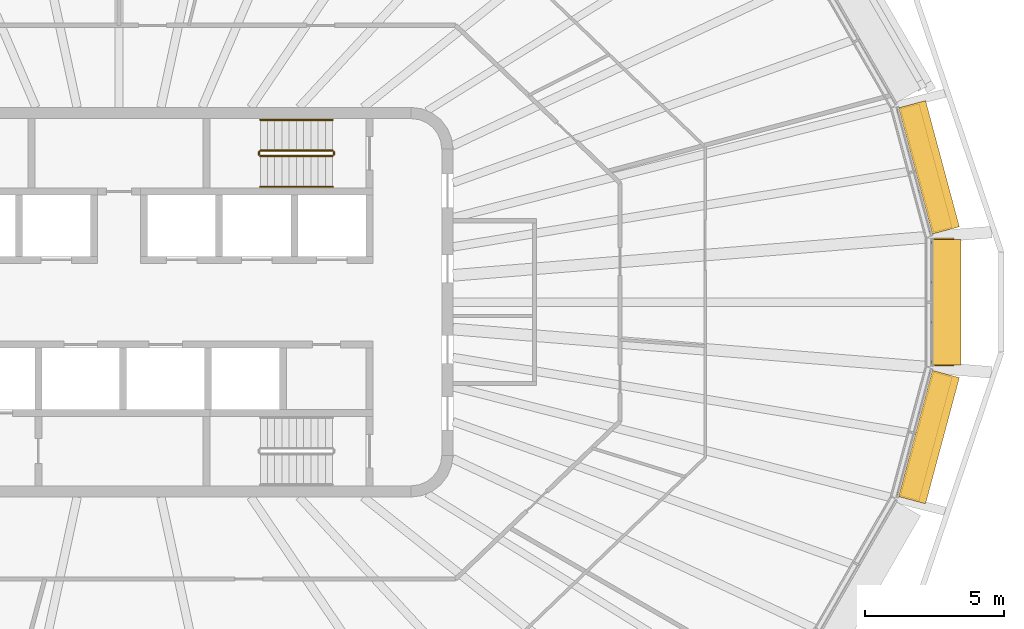
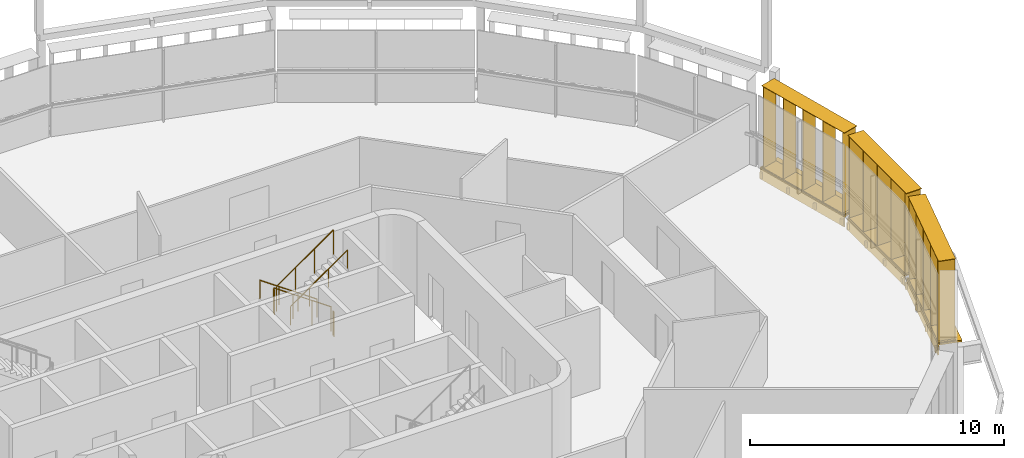
# One storey, part 17 of 19: 6 railings, 6 shading devices.
"""IFC4 building model written with IfcOpenShell, lengths in metres."""

from ifc_helpers import new_model, si_unit, direction, frame, origin, origin_2d, place, context, subcontext, project, spatial, rectangle, circle, extrude, material, type_object, element, save


model = new_model("IFC4")

# Units and contexts
model_context = context("Model", 3, precision=1e-05, world=origin(), true_north=direction((0.0, 1.0)))
body_context = subcontext(model_context, "Body", "Model", "MODEL_VIEW")
ifc_project = project(units=[si_unit("LENGTHUNIT", "METRE"), si_unit("AREAUNIT", "SQUARE_METRE"), si_unit("VOLUMEUNIT", "CUBIC_METRE"), si_unit("PLANEANGLEUNIT", "RADIAN"), si_unit("MASSUNIT", "GRAM", prefix="KILO")], contexts=[model_context])

# Site, building, storey
site_placement = place(None, origin())
site = spatial("IfcSite", under=ifc_project, at=site_placement, CompositionType="ELEMENT")
building_placement = place(site_placement, origin())
building = spatial("IfcBuilding", under=site, at=building_placement, Name="Sahrelin Media Tower", CompositionType="ELEMENT")
storey_placement = place(building_placement, frame((0.0, 0.0, 279.0)))
storey = spatial("IfcBuildingStorey", under=building, at=storey_placement, Name="L61", CompositionType="ELEMENT", Elevation=279.0)

# Shading devices
ifc_material_1 = material(Name="Champagne anodised aluminium 6063-T6", Category="aluminium")
shading_device_type_1 = type_object("IfcShadingDeviceType", Name="Fin cassette", PredefinedType="USERDEFINED", material=ifc_material_1)
placement_1 = place(storey_placement, frame((29.234375, 0.0, 0.0), z_axis=(0.0, 0.0, 1.0), x_axis=(0.0, -1.0, 0.0)))
element("IfcShadingDevice", 1, at=placement_1, inside=storey, type_object=shading_device_type_1, Name="L61:FIN:L61-00", ObjectType="FIN", PredefinedType="USERDEFINED", context=body_context, shape_type="SweptSolid", body=[
    extrude(rectangle(XDim=4.60009765625, YDim=0.699951171875, at=origin_2d()), frame((0.0, 0.419921875, 0.0)), (0.0, 0.0, 1.0), 0.02001953125),
    extrude(rectangle(XDim=4.60009765625, YDim=0.699951171875, at=origin_2d()), frame((0.0, 0.419921875, 3.89990234375)), (0.0, 0.0, 1.0), 0.02001953125),
    extrude(rectangle(XDim=0.02001953125, YDim=0.699951171875, at=origin_2d()), frame((-2.199951171875, 0.419921875, 0.010009765625), z_axis=(0.0, 0.0, 1.0), x_axis=(1.0, 0.0, 0.0)), (0.0, 0.0, 1.0), 3.89990234375),
    extrude(rectangle(XDim=0.02001953125, YDim=0.699951171875, at=origin_2d()), frame((-1.10009765625, 0.419921875, 0.010009765625), z_axis=(0.0, 0.0, 1.0), x_axis=(1.0, 0.0, 0.0)), (0.0, 0.0, 1.0), 3.89990234375),
    extrude(rectangle(XDim=0.02001953125, YDim=0.699951171875, at=origin_2d()), frame((0.0, 0.419921875, 0.010009765625), z_axis=(0.0, 0.0, 1.0), x_axis=(1.0, 0.0, 0.0)), (0.0, 0.0, 1.0), 3.89990234375),
    extrude(rectangle(XDim=0.02001953125, YDim=0.699951171875, at=origin_2d()), frame((1.10009765625, 0.419921875, 0.010009765625), z_axis=(0.0, 0.0, 1.0), x_axis=(1.0, 0.0, 0.0)), (0.0, 0.0, 1.0), 3.89990234375),
    extrude(rectangle(XDim=0.02001953125, YDim=0.699951171875, at=origin_2d()), frame((2.199951171875, 0.419921875, 0.010009765625), z_axis=(0.0, 0.0, 1.0), x_axis=(1.0, 0.0, 0.0)), (0.0, 0.0, 1.0), 3.89990234375),
])
placement_2 = place(storey_placement, frame((28.601318359375, 4.712646484375, 0.0), z_axis=(0.0, 0.0, 1.0), x_axis=(0.258807731996, -0.965928857556, 0.0)))
element("IfcShadingDevice", 2, at=placement_2, inside=storey, type_object=shading_device_type_1, Name="L61:FIN:L61-01", ObjectType="FIN", PredefinedType="USERDEFINED", context=body_context, shape_type="SweptSolid", body=[
    extrude(rectangle(XDim=4.60009765625, YDim=0.699951171875, at=origin_2d()), frame((0.0, 0.419921875, 0.0)), (0.0, 0.0, 1.0), 0.02001953125),
    extrude(rectangle(XDim=4.60009765625, YDim=0.699951171875, at=origin_2d()), frame((0.0, 0.419921875, 3.89990234375)), (0.0, 0.0, 1.0), 0.02001953125),
    extrude(rectangle(XDim=0.02001953125, YDim=0.699951171875, at=origin_2d()), frame((-2.199951171875, 0.419921875, 0.010009765625), z_axis=(0.0, 0.0, 1.0), x_axis=(1.0, 0.0, 0.0)), (0.0, 0.0, 1.0), 3.89990234375),
    extrude(rectangle(XDim=0.02001953125, YDim=0.699951171875, at=origin_2d()), frame((-1.10009765625, 0.419921875, 0.010009765625), z_axis=(0.0, 0.0, 1.0), x_axis=(1.0, 0.0, 0.0)), (0.0, 0.0, 1.0), 3.89990234375),
    extrude(rectangle(XDim=0.02001953125, YDim=0.699951171875, at=origin_2d()), frame((0.0, 0.419921875, 0.010009765625), z_axis=(0.0, 0.0, 1.0), x_axis=(1.0, 0.0, 0.0)), (0.0, 0.0, 1.0), 3.89990234375),
    extrude(rectangle(XDim=0.02001953125, YDim=0.699951171875, at=origin_2d()), frame((1.10009765625, 0.419921875, 0.010009765625), z_axis=(0.0, 0.0, 1.0), x_axis=(1.0, 0.0, 0.0)), (0.0, 0.0, 1.0), 3.89990234375),
    extrude(rectangle(XDim=0.02001953125, YDim=0.699951171875, at=origin_2d()), frame((2.199951171875, 0.419921875, 0.010009765625), z_axis=(0.0, 0.0, 1.0), x_axis=(1.0, 0.0, 0.0)), (0.0, 0.0, 1.0), 3.89990234375),
])
placement_3 = place(storey_placement, frame((28.601318359375, -4.712646484375, 0.0), z_axis=(0.0, 0.0, 1.0), x_axis=(-0.258807731996, -0.965928857556, 0.0)))
element("IfcShadingDevice", 3, at=placement_3, inside=storey, type_object=shading_device_type_1, Name="L61:FIN:L61-23", ObjectType="FIN", PredefinedType="USERDEFINED", context=body_context, shape_type="SweptSolid", body=[
    extrude(rectangle(XDim=4.60009765625, YDim=0.699951171875, at=origin_2d()), frame((0.0, 0.419921875, 0.0)), (0.0, 0.0, 1.0), 0.02001953125),
    extrude(rectangle(XDim=4.60009765625, YDim=0.699951171875, at=origin_2d()), frame((0.0, 0.419921875, 3.89990234375)), (0.0, 0.0, 1.0), 0.02001953125),
    extrude(rectangle(XDim=0.02001953125, YDim=0.699951171875, at=origin_2d()), frame((-2.199951171875, 0.419921875, 0.010009765625), z_axis=(0.0, 0.0, 1.0), x_axis=(1.0, 0.0, 0.0)), (0.0, 0.0, 1.0), 3.89990234375),
    extrude(rectangle(XDim=0.02001953125, YDim=0.699951171875, at=origin_2d()), frame((-1.10009765625, 0.419921875, 0.010009765625), z_axis=(0.0, 0.0, 1.0), x_axis=(1.0, 0.0, 0.0)), (0.0, 0.0, 1.0), 3.89990234375),
    extrude(rectangle(XDim=0.02001953125, YDim=0.699951171875, at=origin_2d()), frame((0.0, 0.419921875, 0.010009765625), z_axis=(0.0, 0.0, 1.0), x_axis=(1.0, 0.0, 0.0)), (0.0, 0.0, 1.0), 3.89990234375),
    extrude(rectangle(XDim=0.02001953125, YDim=0.699951171875, at=origin_2d()), frame((1.10009765625, 0.419921875, 0.010009765625), z_axis=(0.0, 0.0, 1.0), x_axis=(1.0, 0.0, 0.0)), (0.0, 0.0, 1.0), 3.89990234375),
    extrude(rectangle(XDim=0.02001953125, YDim=0.699951171875, at=origin_2d()), frame((2.199951171875, 0.419921875, 0.010009765625), z_axis=(0.0, 0.0, 1.0), x_axis=(1.0, 0.0, 0.0)), (0.0, 0.0, 1.0), 3.89990234375),
])

# Railings
ifc_material_2 = material(Name="Steel S355", Category="steel")
railing_type_1 = type_object("IfcRailingType", Name="Stair guard 1200", PredefinedType="GUARDRAIL", material=ifc_material_2)
railing_1_placement = place(storey_placement, frame((7.675048828125, 5.449951171875, 0.181884765625)))
element("IfcRailing", 4, at=railing_1_placement, inside=storey, type_object=railing_type_1, Name="L61 ST3 stair guard 1", PredefinedType="GUARDRAIL", context=body_context, shape_type="SweptSolid", body=[
    extrude(circle(Radius=0.02392578125, at=origin_2d()), frame((0.0, 0.0, 1.17578125), z_axis=(-0.819521025635, 0.0, 0.573049115296), x_axis=(0.0, -1.0, 0.0)), (0.0, 0.0, 1.0), 3.172607421875),
    extrude(circle(Radius=0.02099609375, at=origin_2d()), origin(), (0.0, 0.0, 1.0), 1.15185546875),
    extrude(circle(Radius=0.02099609375, at=origin_2d()), frame((-0.86669921875, 0.0, 0.60595703125)), (0.0, 0.0, 1.0), 1.15185546875),
    extrude(circle(Radius=0.02099609375, at=origin_2d()), frame((-1.7333984375, 0.0, 1.212158203125)), (0.0, 0.0, 1.0), 1.15185546875),
    extrude(circle(Radius=0.02099609375, at=origin_2d()), frame((-2.60009765625, 0.0, 1.818115234375)), (0.0, 0.0, 1.0), 1.15185546875),
])
railing_2_placement = place(storey_placement, frame((5.02490234375, 5.39990234375, 2.0)))
element("IfcRailing", 5, at=railing_2_placement, inside=storey, type_object=railing_type_1, Name="L61 ST3 stair guard 2", PredefinedType="GUARDRAIL", context=body_context, shape_type="SweptSolid", body=[
    extrude(circle(Radius=0.02392578125, at=origin_2d()), frame((0.0, 0.0, 1.17578125), z_axis=(0.0, -1.0, 0.0), x_axis=(1.0, 0.0, 0.0)), (0.0, 0.0, 1.0), 0.099853515625),
    extrude(circle(Radius=0.02099609375, at=origin_2d()), origin(), (0.0, 0.0, 1.0), 1.15185546875),
    extrude(circle(Radius=0.02099609375, at=origin_2d()), frame((0.0, -0.099853515625, 0.0)), (0.0, 0.0, 1.0), 1.15185546875),
])
railing_3_placement = place(storey_placement, frame((5.074951171875, 5.25, 2.181884765625)))
element("IfcRailing", 6, at=railing_3_placement, inside=storey, type_object=railing_type_1, Name="L61 ST3 stair guard 3", PredefinedType="GUARDRAIL", context=body_context, shape_type="SweptSolid", body=[
    extrude(circle(Radius=0.02392578125, at=origin_2d()), frame((0.0, 0.0, 1.17578125), z_axis=(0.819521025635, 0.0, 0.573049115296), x_axis=(0.0, 1.0, 0.0)), (0.0, 0.0, 1.0), 3.172607421875),
    extrude(circle(Radius=0.02099609375, at=origin_2d()), origin(), (0.0, 0.0, 1.0), 1.15185546875),
    extrude(circle(Radius=0.02099609375, at=origin_2d()), frame((0.86669921875, 0.0, 0.60595703125)), (0.0, 0.0, 1.0), 1.15185546875),
    extrude(circle(Radius=0.02099609375, at=origin_2d()), frame((1.7333984375, 0.0, 1.212158203125)), (0.0, 0.0, 1.0), 1.15185546875),
    extrude(circle(Radius=0.02099609375, at=origin_2d()), frame((2.60009765625, 0.0, 1.818115234375)), (0.0, 0.0, 1.0), 1.15185546875),
])
railing_4_placement = place(storey_placement, frame((7.72509765625, 5.39990234375, 0.0)))
element("IfcRailing", 7, at=railing_4_placement, inside=storey, type_object=railing_type_1, Name="L61 ST3 stair guard 4", PredefinedType="GUARDRAIL", context=body_context, shape_type="SweptSolid", body=[
    extrude(circle(Radius=0.02392578125, at=origin_2d()), frame((0.0, 0.0, 1.17578125), z_axis=(0.0, -1.0, 0.0), x_axis=(1.0, 0.0, 0.0)), (0.0, 0.0, 1.0), 0.099853515625),
    extrude(circle(Radius=0.02099609375, at=origin_2d()), origin(), (0.0, 0.0, 1.0), 1.15185546875),
    extrude(circle(Radius=0.02099609375, at=origin_2d()), frame((0.0, -0.099853515625, 0.0)), (0.0, 0.0, 1.0), 1.15185546875),
])
railing_type_2 = type_object("IfcRailingType", Name="Stair handrail 900", PredefinedType="HANDRAIL", material=ifc_material_2)
railing_5_placement = place(storey_placement, frame((7.675048828125, 6.550048828125, 0.181884765625)))
element("IfcRailing", 8, at=railing_5_placement, inside=storey, type_object=railing_type_2, Name="L61 ST3 stair handrail 1", PredefinedType="HANDRAIL", context=body_context, shape_type="SweptSolid", body=[
    extrude(circle(Radius=0.02392578125, at=origin_2d()), frame((0.0, 0.0, 0.8759765625), z_axis=(-0.819521025635, 0.0, 0.573049115296), x_axis=(0.0, -1.0, 0.0)), (0.0, 0.0, 1.0), 3.172607421875),
    extrude(circle(Radius=0.02099609375, at=origin_2d()), origin(), (0.0, 0.0, 1.0), 0.851806640625),
    extrude(circle(Radius=0.02099609375, at=origin_2d()), frame((-0.86669921875, 0.0, 0.60595703125)), (0.0, 0.0, 1.0), 0.851806640625),
    extrude(circle(Radius=0.02099609375, at=origin_2d()), frame((-1.7333984375, 0.0, 1.212158203125)), (0.0, 0.0, 1.0), 0.851806640625),
    extrude(circle(Radius=0.02099609375, at=origin_2d()), frame((-2.60009765625, 0.0, 1.818115234375)), (0.0, 0.0, 1.0), 0.851806640625),
])
railing_6_placement = place(storey_placement, frame((5.074951171875, 4.14990234375, 2.181884765625)))
element("IfcRailing", 9, at=railing_6_placement, inside=storey, type_object=railing_type_2, Name="L61 ST3 stair handrail 2", PredefinedType="HANDRAIL", context=body_context, shape_type="SweptSolid", body=[
    extrude(circle(Radius=0.02392578125, at=origin_2d()), frame((0.0, 0.0, 0.8759765625), z_axis=(0.819521025635, 0.0, 0.573049115296), x_axis=(0.0, 1.0, 0.0)), (0.0, 0.0, 1.0), 3.172607421875),
    extrude(circle(Radius=0.02099609375, at=origin_2d()), origin(), (0.0, 0.0, 1.0), 0.851806640625),
    extrude(circle(Radius=0.02099609375, at=origin_2d()), frame((0.86669921875, 0.0, 0.60595703125)), (0.0, 0.0, 1.0), 0.851806640625),
    extrude(circle(Radius=0.02099609375, at=origin_2d()), frame((1.7333984375, 0.0, 1.212158203125)), (0.0, 0.0, 1.0), 0.851806640625),
    extrude(circle(Radius=0.02099609375, at=origin_2d()), frame((2.60009765625, 0.0, 1.818115234375)), (0.0, 0.0, 1.0), 0.851806640625),
])

# Shading devices
shading_device_type_2 = type_object("IfcShadingDeviceType", Name="Sunshade band", PredefinedType="USERDEFINED", material=ifc_material_1)
element("IfcShadingDevice", 10, at=placement_1, inside=storey, type_object=shading_device_type_2, Name="L61:SUN:L61-00", ObjectType="SUNSHADE", PredefinedType="USERDEFINED", context=body_context, shape_type="SweptSolid", body=[
    extrude(rectangle(XDim=4.49951171875, YDim=0.050048828125, at=origin_2d()), frame((0.0, 0.044921875, -0.55126953125)), (0.0, 0.0, 1.0), 0.471435546875),
    extrude(rectangle(XDim=4.49951171875, YDim=1.0, at=origin_2d()), frame((0.0, 0.52001953125, -0.080078125)), (0.0, 0.0, 1.0), 0.080078125),
    extrude(rectangle(XDim=0.10009765625, YDim=0.074951171875, at=origin_2d()), frame((-2.14990234375, -0.017578125, -0.47021484375)), (0.0, 0.0, 1.0), 0.300048828125),
    extrude(rectangle(XDim=0.10009765625, YDim=0.074951171875, at=origin_2d()), frame((-0.716552734375, -0.017578125, -0.47021484375)), (0.0, 0.0, 1.0), 0.300048828125),
    extrude(rectangle(XDim=0.10009765625, YDim=0.074951171875, at=origin_2d()), frame((0.716552734375, -0.017578125, -0.47021484375)), (0.0, 0.0, 1.0), 0.300048828125),
    extrude(rectangle(XDim=0.10009765625, YDim=0.074951171875, at=origin_2d()), frame((2.14990234375, -0.017578125, -0.47021484375)), (0.0, 0.0, 1.0), 0.300048828125),
])
element("IfcShadingDevice", 11, at=placement_2, inside=storey, type_object=shading_device_type_2, Name="L61:SUN:L61-01", ObjectType="SUNSHADE", PredefinedType="USERDEFINED", context=body_context, shape_type="SweptSolid", body=[
    extrude(rectangle(XDim=4.6923828125, YDim=0.050048828125, at=origin_2d()), frame((0.0, 0.044921875, -0.55126953125)), (0.0, 0.0, 1.0), 0.471435546875),
    extrude(rectangle(XDim=4.6923828125, YDim=1.0, at=origin_2d()), frame((0.0, 0.52001953125, -0.080078125)), (0.0, 0.0, 1.0), 0.080078125),
    extrude(rectangle(XDim=0.10009765625, YDim=0.074951171875, at=origin_2d()), frame((-2.24609375, -0.017578125, -0.47021484375)), (0.0, 0.0, 1.0), 0.300048828125),
    extrude(rectangle(XDim=0.10009765625, YDim=0.074951171875, at=origin_2d()), frame((-0.748779296875, -0.017578125, -0.47021484375)), (0.0, 0.0, 1.0), 0.300048828125),
    extrude(rectangle(XDim=0.10009765625, YDim=0.074951171875, at=origin_2d()), frame((0.748779296875, -0.017578125, -0.47021484375)), (0.0, 0.0, 1.0), 0.300048828125),
    extrude(rectangle(XDim=0.10009765625, YDim=0.074951171875, at=origin_2d()), frame((2.24609375, -0.017578125, -0.47021484375)), (0.0, 0.0, 1.0), 0.300048828125),
])
element("IfcShadingDevice", 12, at=placement_3, inside=storey, type_object=shading_device_type_2, Name="L61:SUN:L61-23", ObjectType="SUNSHADE", PredefinedType="USERDEFINED", context=body_context, shape_type="SweptSolid", body=[
    extrude(rectangle(XDim=4.6923828125, YDim=0.050048828125, at=origin_2d()), frame((0.0, 0.044921875, -0.55126953125)), (0.0, 0.0, 1.0), 0.471435546875),
    extrude(rectangle(XDim=4.6923828125, YDim=1.0, at=origin_2d()), frame((0.0, 0.52001953125, -0.080078125)), (0.0, 0.0, 1.0), 0.080078125),
    extrude(rectangle(XDim=0.10009765625, YDim=0.074951171875, at=origin_2d()), frame((-2.24609375, -0.017578125, -0.47021484375)), (0.0, 0.0, 1.0), 0.300048828125),
    extrude(rectangle(XDim=0.10009765625, YDim=0.074951171875, at=origin_2d()), frame((-0.748779296875, -0.017578125, -0.47021484375)), (0.0, 0.0, 1.0), 0.300048828125),
    extrude(rectangle(XDim=0.10009765625, YDim=0.074951171875, at=origin_2d()), frame((0.748779296875, -0.017578125, -0.47021484375)), (0.0, 0.0, 1.0), 0.300048828125),
    extrude(rectangle(XDim=0.10009765625, YDim=0.074951171875, at=origin_2d()), frame((2.24609375, -0.017578125, -0.47021484375)), (0.0, 0.0, 1.0), 0.300048828125),
])

save(model, "model.ifc")
